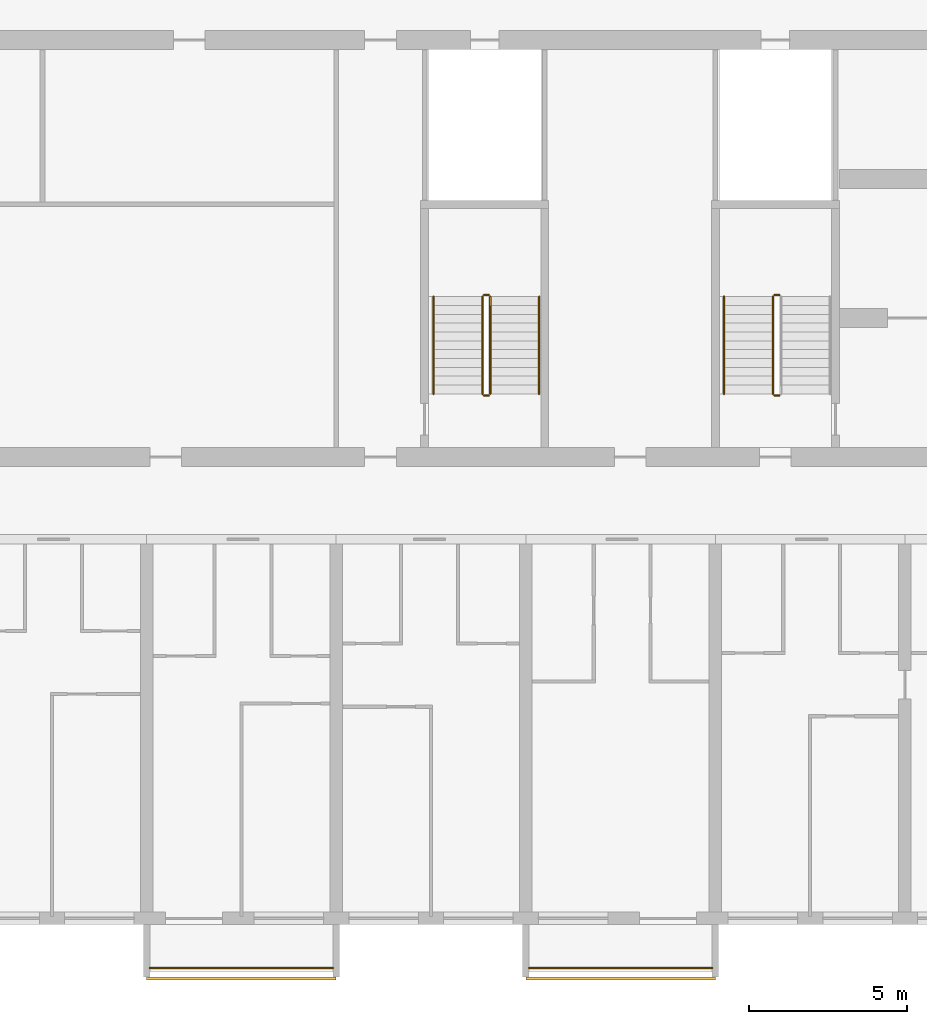
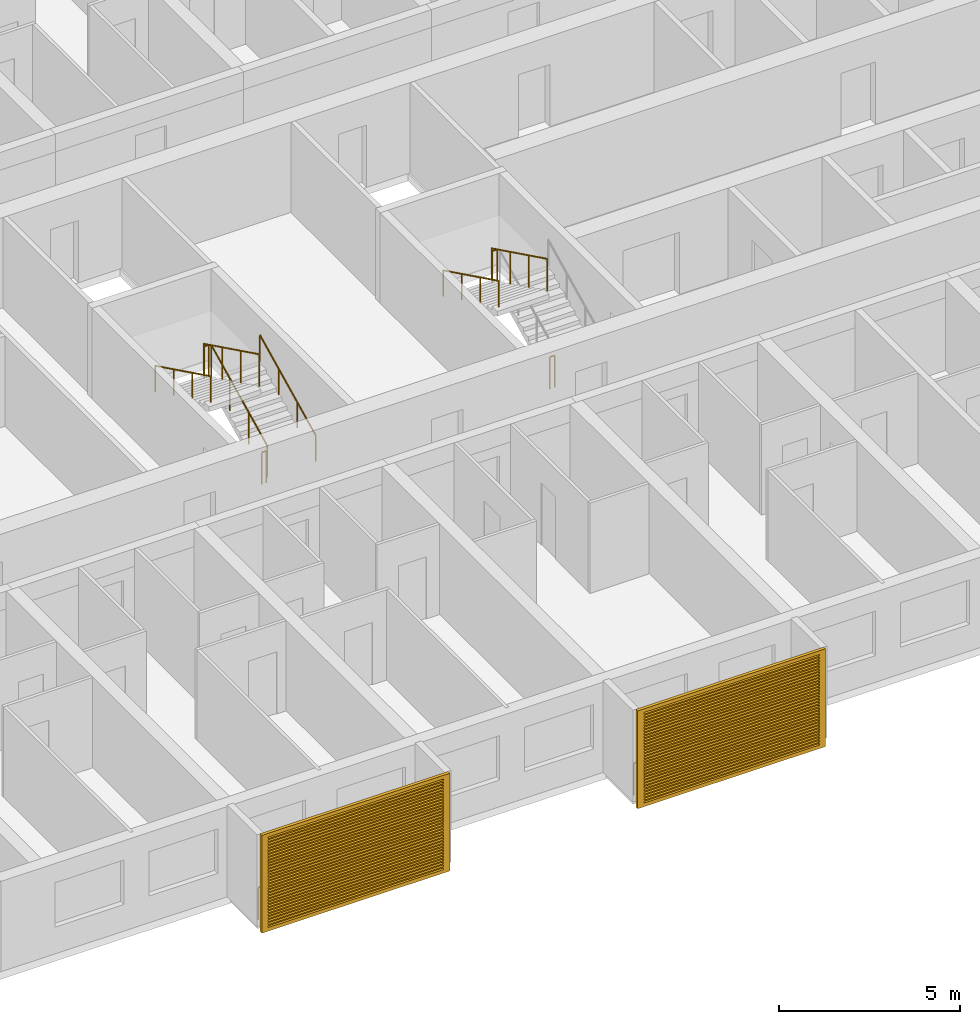
# One storey, part 19 of 40: 12 railings, 2 shading devices.
"""IFC4 building model written with IfcOpenShell, lengths in metres."""

from ifc_helpers import new_model, si_unit, direction, frame, origin, origin_2d, place, context, subcontext, project, spatial, polyline, circle, outline, extrude, source, transform, mapped, material, material_profile, profile_set, type_object, element, save


model = new_model("IFC4")

# Units and contexts
model_context = context("Model", 3, precision=1e-05, world=origin(), true_north=direction((0.0, 1.0)))
body_context = subcontext(model_context, "Body", "Model", "MODEL_VIEW")
ifc_project = project(units=[si_unit("LENGTHUNIT", "METRE"), si_unit("AREAUNIT", "SQUARE_METRE"), si_unit("VOLUMEUNIT", "CUBIC_METRE"), si_unit("PLANEANGLEUNIT", "RADIAN"), si_unit("MASSUNIT", "GRAM", prefix="KILO")], contexts=[model_context])

# Site, building, storey
site_placement = place(None, origin())
site = spatial("IfcSite", under=ifc_project, at=site_placement, CompositionType="ELEMENT")
building_placement = place(site_placement, origin())
building = spatial("IfcBuilding", under=site, at=building_placement, Name="Poui Terraces", CompositionType="ELEMENT")
storey_placement = place(building_placement, frame((0.0, 0.0, 39.89990234375)))
storey = spatial("IfcBuildingStorey", under=building, at=storey_placement, Name="L10", CompositionType="ELEMENT", Elevation=39.89990234375)

# Railings
ifc_material_1 = material(Name="Painted steel fretwork", Category="steel")
railing_type_1 = type_object("IfcRailingType", Name="BALCONY GUARD 1100", PredefinedType="GUARDRAIL", material=ifc_material_1)
for number, where, name in (
    (1, (12.10009765625, -1.570068359375, 0.0), "BALCONY GUARD"),
    (2, (24.10009765625, -1.570068359375, 0.0), "BALCONY GUARD"),
):
    element("IfcRailing", number, at=place(storey_placement, frame(where)), inside=storey, type_object=railing_type_1, Name=name, PredefinedType="GUARDRAIL", context=body_context, shape_type="SweptSolid", body=[
        extrude(circle(Radius=0.02392578125, at=origin_2d()), frame((0.0, 0.0, 1.076171875), z_axis=(1.0, 0.0, 0.0), x_axis=(0.0, 1.0, 0.0)), (0.0, 0.0, 1.0), 5.7998046875),
        extrude(circle(Radius=0.02099609375, at=origin_2d()), origin(), (0.0, 0.0, 1.0), 1.052001953125),
        extrude(circle(Radius=0.02099609375, at=origin_2d()), frame((0.966552734375, 0.0, 0.0)), (0.0, 0.0, 1.0), 1.052001953125),
        extrude(circle(Radius=0.02099609375, at=origin_2d()), frame((1.933349609375, 0.0, 0.0)), (0.0, 0.0, 1.0), 1.052001953125),
        extrude(circle(Radius=0.02099609375, at=origin_2d()), frame((2.89990234375, 0.0, 0.0)), (0.0, 0.0, 1.0), 1.052001953125),
        extrude(circle(Radius=0.02099609375, at=origin_2d()), frame((3.866455078125, 0.0, 0.0)), (0.0, 0.0, 1.0), 1.052001953125),
        extrude(circle(Radius=0.02099609375, at=origin_2d()), frame((4.833251953125, 0.0, 0.0)), (0.0, 0.0, 1.0), 1.052001953125),
        extrude(circle(Radius=0.02099609375, at=origin_2d()), frame((5.7998046875, 0.0, 0.0)), (0.0, 0.0, 1.0), 1.052001953125),
    ])
ifc_material_2 = material(Name="Galvanised steel balustrade", Category="steel")
railing_type_2 = type_object("IfcRailingType", Name="STAIR GUARD 1100", PredefinedType="GUARDRAIL", material=ifc_material_2)
railing_1_placement = place(storey_placement, frame((32.02490234375, 19.72998046875, 1.650146484375)))
element("IfcRailing", 3, at=railing_1_placement, inside=storey, type_object=railing_type_2, Name="L10 ST-CW stair guard 2", PredefinedType="GUARDRAIL", context=body_context, shape_type="SweptSolid", body=[
    extrude(circle(Radius=0.02392578125, at=origin_2d()), frame((0.0, 0.0, 1.076171875), z_axis=(-1.0, 0.0, 0.0), x_axis=(0.0, -1.0, 0.0)), (0.0, 0.0, 1.0), 0.14990234375),
    extrude(circle(Radius=0.02099609375, at=origin_2d()), origin(), (0.0, 0.0, 1.0), 1.052001953125),
    extrude(circle(Radius=0.02099609375, at=origin_2d()), frame((-0.14990234375, 0.0, 0.0)), (0.0, 0.0, 1.0), 1.052001953125),
])
railing_2_placement = place(storey_placement, frame((31.824951171875, 19.679931640625, 1.78759765625)))
element("IfcRailing", 4, at=railing_2_placement, inside=storey, type_object=railing_type_2, Name="L10 ST-CW stair guard 3", PredefinedType="GUARDRAIL", context=body_context, shape_type="SweptSolid", body=[
    extrude(circle(Radius=0.02392578125, at=origin_2d()), frame((0.0, 0.0, 1.076171875), z_axis=(0.0, -0.897606190399, 0.440798283751), x_axis=(1.0, 0.0, 0.0)), (0.0, 0.0, 1.0), 3.43115234375),
    extrude(circle(Radius=0.02099609375, at=origin_2d()), origin(), (0.0, 0.0, 1.0), 1.052001953125),
    extrude(circle(Radius=0.02099609375, at=origin_2d()), frame((0.0, -1.026611328125, 0.504150390625)), (0.0, 0.0, 1.0), 1.052001953125),
    extrude(circle(Radius=0.02099609375, at=origin_2d()), frame((0.0, -2.05322265625, 1.00830078125)), (0.0, 0.0, 1.0), 1.052001953125),
    extrude(circle(Radius=0.02099609375, at=origin_2d()), frame((0.0, -3.079833984375, 1.512451171875)), (0.0, 0.0, 1.0), 1.052001953125),
])
railing_3_placement = place(storey_placement, frame((32.02490234375, 16.550048828125, 0.0)))
element("IfcRailing", 5, at=railing_3_placement, inside=storey, type_object=railing_type_2, Name="L10 ST-CW stair guard 4", PredefinedType="GUARDRAIL", context=body_context, shape_type="SweptSolid", body=[
    extrude(circle(Radius=0.02392578125, at=origin_2d()), frame((0.0, 0.0, 1.076171875), z_axis=(-1.0, 0.0, 0.0), x_axis=(0.0, -1.0, 0.0)), (0.0, 0.0, 1.0), 0.14990234375),
    extrude(circle(Radius=0.02099609375, at=origin_2d()), origin(), (0.0, 0.0, 1.0), 1.052001953125),
    extrude(circle(Radius=0.02099609375, at=origin_2d()), frame((-0.14990234375, 0.0, 0.0)), (0.0, 0.0, 1.0), 1.052001953125),
])
railing_4_placement = place(storey_placement, frame((22.875, 16.60009765625, 0.1376953125)))
element("IfcRailing", 6, at=railing_4_placement, inside=storey, type_object=railing_type_2, Name="L10 ST-W stair guard 1", PredefinedType="GUARDRAIL", context=body_context, shape_type="SweptSolid", body=[
    extrude(circle(Radius=0.02392578125, at=origin_2d()), frame((0.0, 0.0, 1.076171875), z_axis=(0.0, 0.897606190399, 0.440798283751), x_axis=(-1.0, 0.0, 0.0)), (0.0, 0.0, 1.0), 3.43115234375),
    extrude(circle(Radius=0.02099609375, at=origin_2d()), origin(), (0.0, 0.0, 1.0), 1.052001953125),
    extrude(circle(Radius=0.02099609375, at=origin_2d()), frame((0.0, 1.026611328125, 0.504150390625)), (0.0, 0.0, 1.0), 1.052001953125),
    extrude(circle(Radius=0.02099609375, at=origin_2d()), frame((0.0, 2.05322265625, 1.00830078125)), (0.0, 0.0, 1.0), 1.052001953125),
    extrude(circle(Radius=0.02099609375, at=origin_2d()), frame((0.0, 3.079833984375, 1.512451171875)), (0.0, 0.0, 1.0), 1.052001953125),
])
railing_5_placement = place(storey_placement, frame((22.824951171875, 19.72998046875, 1.650146484375)))
element("IfcRailing", 7, at=railing_5_placement, inside=storey, type_object=railing_type_2, Name="L10 ST-W stair guard 2", PredefinedType="GUARDRAIL", context=body_context, shape_type="SweptSolid", body=[
    extrude(circle(Radius=0.02392578125, at=origin_2d()), frame((0.0, 0.0, 1.076171875), z_axis=(-1.0, 0.0, 0.0), x_axis=(0.0, -1.0, 0.0)), (0.0, 0.0, 1.0), 0.14990234375),
    extrude(circle(Radius=0.02099609375, at=origin_2d()), origin(), (0.0, 0.0, 1.0), 1.052001953125),
    extrude(circle(Radius=0.02099609375, at=origin_2d()), frame((-0.14990234375, 0.0, 0.0)), (0.0, 0.0, 1.0), 1.052001953125),
])
railing_6_placement = place(storey_placement, frame((22.625, 19.679931640625, 1.78759765625)))
element("IfcRailing", 8, at=railing_6_placement, inside=storey, type_object=railing_type_2, Name="L10 ST-W stair guard 3", PredefinedType="GUARDRAIL", context=body_context, shape_type="SweptSolid", body=[
    extrude(circle(Radius=0.02392578125, at=origin_2d()), frame((0.0, 0.0, 1.076171875), z_axis=(0.0, -0.897606190399, 0.440798283751), x_axis=(1.0, 0.0, 0.0)), (0.0, 0.0, 1.0), 3.43115234375),
    extrude(circle(Radius=0.02099609375, at=origin_2d()), origin(), (0.0, 0.0, 1.0), 1.052001953125),
    extrude(circle(Radius=0.02099609375, at=origin_2d()), frame((0.0, -1.026611328125, 0.504150390625)), (0.0, 0.0, 1.0), 1.052001953125),
    extrude(circle(Radius=0.02099609375, at=origin_2d()), frame((0.0, -2.05322265625, 1.00830078125)), (0.0, 0.0, 1.0), 1.052001953125),
    extrude(circle(Radius=0.02099609375, at=origin_2d()), frame((0.0, -3.079833984375, 1.512451171875)), (0.0, 0.0, 1.0), 1.052001953125),
])
railing_7_placement = place(storey_placement, frame((22.824951171875, 16.550048828125, 0.0)))
element("IfcRailing", 9, at=railing_7_placement, inside=storey, type_object=railing_type_2, Name="L10 ST-W stair guard 4", PredefinedType="GUARDRAIL", context=body_context, shape_type="SweptSolid", body=[
    extrude(circle(Radius=0.02392578125, at=origin_2d()), frame((0.0, 0.0, 1.076171875), z_axis=(-1.0, 0.0, 0.0), x_axis=(0.0, -1.0, 0.0)), (0.0, 0.0, 1.0), 0.14990234375),
    extrude(circle(Radius=0.02099609375, at=origin_2d()), origin(), (0.0, 0.0, 1.0), 1.052001953125),
    extrude(circle(Radius=0.02099609375, at=origin_2d()), frame((-0.14990234375, 0.0, 0.0)), (0.0, 0.0, 1.0), 1.052001953125),
])
ifc_material_3 = material(Name="Stainless steel handrail", Category="steel")
railing_type_3 = type_object("IfcRailingType", Name="STAIR HANDRAIL 900", PredefinedType="HANDRAIL", material=ifc_material_3)
railing_8_placement = place(storey_placement, frame((30.27490234375, 19.679931640625, 1.78759765625)))
element("IfcRailing", 10, at=railing_8_placement, inside=storey, type_object=railing_type_3, Name="L10 ST-CW stair handrail 2", PredefinedType="HANDRAIL", context=body_context, shape_type="SweptSolid", body=[
    extrude(circle(Radius=0.02392578125, at=origin_2d()), frame((0.0, 0.0, 0.8759765625), z_axis=(0.0, -0.897606190399, 0.440798283751), x_axis=(1.0, 0.0, 0.0)), (0.0, 0.0, 1.0), 3.43115234375),
    extrude(circle(Radius=0.02099609375, at=origin_2d()), origin(), (0.0, 0.0, 1.0), 0.851806640625),
    extrude(circle(Radius=0.02099609375, at=origin_2d()), frame((0.0, -1.026611328125, 0.504150390625)), (0.0, 0.0, 1.0), 0.851806640625),
    extrude(circle(Radius=0.02099609375, at=origin_2d()), frame((0.0, -2.05322265625, 1.00830078125)), (0.0, 0.0, 1.0), 0.851806640625),
    extrude(circle(Radius=0.02099609375, at=origin_2d()), frame((0.0, -3.079833984375, 1.512451171875)), (0.0, 0.0, 1.0), 0.851806640625),
])
railing_9_placement = place(storey_placement, frame((24.425048828125, 16.60009765625, 0.1376953125)))
element("IfcRailing", 11, at=railing_9_placement, inside=storey, type_object=railing_type_3, Name="L10 ST-W stair handrail 1", PredefinedType="HANDRAIL", context=body_context, shape_type="SweptSolid", body=[
    extrude(circle(Radius=0.02392578125, at=origin_2d()), frame((0.0, 0.0, 0.8759765625), z_axis=(0.0, 0.897606190399, 0.440798283751), x_axis=(-1.0, 0.0, 0.0)), (0.0, 0.0, 1.0), 3.43115234375),
    extrude(circle(Radius=0.02099609375, at=origin_2d()), origin(), (0.0, 0.0, 1.0), 0.851806640625),
    extrude(circle(Radius=0.02099609375, at=origin_2d()), frame((0.0, 1.026611328125, 0.504150390625)), (0.0, 0.0, 1.0), 0.851806640625),
    extrude(circle(Radius=0.02099609375, at=origin_2d()), frame((0.0, 2.05322265625, 1.00830078125)), (0.0, 0.0, 1.0), 0.851806640625),
    extrude(circle(Radius=0.02099609375, at=origin_2d()), frame((0.0, 3.079833984375, 1.512451171875)), (0.0, 0.0, 1.0), 0.851806640625),
])
railing_10_placement = place(storey_placement, frame((21.074951171875, 19.679931640625, 1.78759765625)))
element("IfcRailing", 12, at=railing_10_placement, inside=storey, type_object=railing_type_3, Name="L10 ST-W stair handrail 2", PredefinedType="HANDRAIL", context=body_context, shape_type="SweptSolid", body=[
    extrude(circle(Radius=0.02392578125, at=origin_2d()), frame((0.0, 0.0, 0.8759765625), z_axis=(0.0, -0.897606190399, 0.440798283751), x_axis=(1.0, 0.0, 0.0)), (0.0, 0.0, 1.0), 3.43115234375),
    extrude(circle(Radius=0.02099609375, at=origin_2d()), origin(), (0.0, 0.0, 1.0), 0.851806640625),
    extrude(circle(Radius=0.02099609375, at=origin_2d()), frame((0.0, -1.026611328125, 0.504150390625)), (0.0, 0.0, 1.0), 0.851806640625),
    extrude(circle(Radius=0.02099609375, at=origin_2d()), frame((0.0, -2.05322265625, 1.00830078125)), (0.0, 0.0, 1.0), 0.851806640625),
    extrude(circle(Radius=0.02099609375, at=origin_2d()), frame((0.0, -3.079833984375, 1.512451171875)), (0.0, 0.0, 1.0), 0.851806640625),
])

# Shading devices
ifc_material_4 = material(Name="Aluminium louvre", Category="aluminium")
ifc_material_profile = material_profile(ifc_material_4, outline(polyline([(-3.0, -1.64990234375), (3.0, -1.64990234375), (3.0, 1.64990234375), (-3.0, 1.64990234375), (-3.0, -1.64990234375)]), holes=[polyline([(-2.800048828125, -1.530029296875), (2.800048828125, -1.530029296875), (2.800048828125, -1.469970703125), (-2.800048828125, -1.469970703125), (-2.800048828125, -1.530029296875)]), polyline([(-2.800048828125, -1.429931640625), (2.800048828125, -1.429931640625), (2.800048828125, -1.3701171875), (-2.800048828125, -1.3701171875), (-2.800048828125, -1.429931640625)]), polyline([(-2.800048828125, -1.330078125), (2.800048828125, -1.330078125), (2.800048828125, -1.27001953125), (-2.800048828125, -1.27001953125), (-2.800048828125, -1.330078125)]), polyline([(-2.800048828125, -1.22998046875), (2.800048828125, -1.22998046875), (2.800048828125, -1.169921875), (-2.800048828125, -1.169921875), (-2.800048828125, -1.22998046875)]), polyline([(-2.800048828125, -1.1298828125), (2.800048828125, -1.1298828125), (2.800048828125, -1.070068359375), (-2.800048828125, -1.070068359375), (-2.800048828125, -1.1298828125)]), polyline([(-2.800048828125, -1.030029296875), (2.800048828125, -1.030029296875), (2.800048828125, -0.969970703125), (-2.800048828125, -0.969970703125), (-2.800048828125, -1.030029296875)]), polyline([(-2.800048828125, -0.929931640625), (2.800048828125, -0.929931640625), (2.800048828125, -0.8701171875), (-2.800048828125, -0.8701171875), (-2.800048828125, -0.929931640625)]), polyline([(-2.800048828125, -0.830078125), (2.800048828125, -0.830078125), (2.800048828125, -0.77001953125), (-2.800048828125, -0.77001953125), (-2.800048828125, -0.830078125)]), polyline([(-2.800048828125, -0.72998046875), (2.800048828125, -0.72998046875), (2.800048828125, -0.669921875), (-2.800048828125, -0.669921875), (-2.800048828125, -0.72998046875)]), polyline([(-2.800048828125, -0.6298828125), (2.800048828125, -0.6298828125), (2.800048828125, -0.570068359375), (-2.800048828125, -0.570068359375), (-2.800048828125, -0.6298828125)]), polyline([(-2.800048828125, -0.530029296875), (2.800048828125, -0.530029296875), (2.800048828125, -0.469970703125), (-2.800048828125, -0.469970703125), (-2.800048828125, -0.530029296875)]), polyline([(-2.800048828125, -0.429931640625), (2.800048828125, -0.429931640625), (2.800048828125, -0.3701171875), (-2.800048828125, -0.3701171875), (-2.800048828125, -0.429931640625)]), polyline([(-2.800048828125, -0.330078125), (2.800048828125, -0.330078125), (2.800048828125, -0.27001953125), (-2.800048828125, -0.27001953125), (-2.800048828125, -0.330078125)]), polyline([(-2.800048828125, -0.22998046875), (2.800048828125, -0.22998046875), (2.800048828125, -0.169921875), (-2.800048828125, -0.169921875), (-2.800048828125, -0.22998046875)]), polyline([(-2.800048828125, -0.1298828125), (2.800048828125, -0.1298828125), (2.800048828125, -0.070068359375), (-2.800048828125, -0.070068359375), (-2.800048828125, -0.1298828125)]), polyline([(-2.800048828125, -0.030029296875), (2.800048828125, -0.030029296875), (2.800048828125, 0.030029296875), (-2.800048828125, 0.030029296875), (-2.800048828125, -0.030029296875)]), polyline([(-2.800048828125, 0.070068359375), (2.800048828125, 0.070068359375), (2.800048828125, 0.1298828125), (-2.800048828125, 0.1298828125), (-2.800048828125, 0.070068359375)]), polyline([(-2.800048828125, 0.169921875), (2.800048828125, 0.169921875), (2.800048828125, 0.22998046875), (-2.800048828125, 0.22998046875), (-2.800048828125, 0.169921875)]), polyline([(-2.800048828125, 0.27001953125), (2.800048828125, 0.27001953125), (2.800048828125, 0.330078125), (-2.800048828125, 0.330078125), (-2.800048828125, 0.27001953125)]), polyline([(-2.800048828125, 0.3701171875), (2.800048828125, 0.3701171875), (2.800048828125, 0.429931640625), (-2.800048828125, 0.429931640625), (-2.800048828125, 0.3701171875)]), polyline([(-2.800048828125, 0.469970703125), (2.800048828125, 0.469970703125), (2.800048828125, 0.530029296875), (-2.800048828125, 0.530029296875), (-2.800048828125, 0.469970703125)]), polyline([(-2.800048828125, 0.570068359375), (2.800048828125, 0.570068359375), (2.800048828125, 0.6298828125), (-2.800048828125, 0.6298828125), (-2.800048828125, 0.570068359375)]), polyline([(-2.800048828125, 0.669921875), (2.800048828125, 0.669921875), (2.800048828125, 0.72998046875), (-2.800048828125, 0.72998046875), (-2.800048828125, 0.669921875)]), polyline([(-2.800048828125, 0.77001953125), (2.800048828125, 0.77001953125), (2.800048828125, 0.830078125), (-2.800048828125, 0.830078125), (-2.800048828125, 0.77001953125)]), polyline([(-2.800048828125, 0.8701171875), (2.800048828125, 0.8701171875), (2.800048828125, 0.929931640625), (-2.800048828125, 0.929931640625), (-2.800048828125, 0.8701171875)]), polyline([(-2.800048828125, 0.969970703125), (2.800048828125, 0.969970703125), (2.800048828125, 1.030029296875), (-2.800048828125, 1.030029296875), (-2.800048828125, 0.969970703125)]), polyline([(-2.800048828125, 1.070068359375), (2.800048828125, 1.070068359375), (2.800048828125, 1.1298828125), (-2.800048828125, 1.1298828125), (-2.800048828125, 1.070068359375)]), polyline([(-2.800048828125, 1.169921875), (2.800048828125, 1.169921875), (2.800048828125, 1.22998046875), (-2.800048828125, 1.22998046875), (-2.800048828125, 1.169921875)]), polyline([(-2.800048828125, 1.27001953125), (2.800048828125, 1.27001953125), (2.800048828125, 1.330078125), (-2.800048828125, 1.330078125), (-2.800048828125, 1.27001953125)]), polyline([(-2.800048828125, 1.3701171875), (2.800048828125, 1.3701171875), (2.800048828125, 1.429931640625), (-2.800048828125, 1.429931640625), (-2.800048828125, 1.3701171875)]), polyline([(-2.800048828125, 1.469970703125), (2.800048828125, 1.469970703125), (2.800048828125, 1.530029296875), (-2.800048828125, 1.530029296875), (-2.800048828125, 1.469970703125)])]), Name="JALOUSIE LOUVRE SHUTTER 6000X3300")
ifc_profile_set = profile_set([ifc_material_profile], Name="Aluminium louvre")
shading_device_type = type_object("IfcShadingDeviceType", Name="JALOUSIE LOUVRE SHUTTER 6000X3300", PredefinedType="JALOUSIE", material=ifc_profile_set)
shared_shape = source(origin(), body_context, "Body", "SweptSolid", [
    extrude(outline(polyline([(-3.0, -1.64990234375), (3.0, -1.64990234375), (3.0, 1.64990234375), (-3.0, 1.64990234375), (-3.0, -1.64990234375)]), holes=[polyline([(-2.800048828125, -1.530029296875), (2.800048828125, -1.530029296875), (2.800048828125, -1.469970703125), (-2.800048828125, -1.469970703125), (-2.800048828125, -1.530029296875)]), polyline([(-2.800048828125, -1.429931640625), (2.800048828125, -1.429931640625), (2.800048828125, -1.3701171875), (-2.800048828125, -1.3701171875), (-2.800048828125, -1.429931640625)]), polyline([(-2.800048828125, -1.330078125), (2.800048828125, -1.330078125), (2.800048828125, -1.27001953125), (-2.800048828125, -1.27001953125), (-2.800048828125, -1.330078125)]), polyline([(-2.800048828125, -1.22998046875), (2.800048828125, -1.22998046875), (2.800048828125, -1.169921875), (-2.800048828125, -1.169921875), (-2.800048828125, -1.22998046875)]), polyline([(-2.800048828125, -1.1298828125), (2.800048828125, -1.1298828125), (2.800048828125, -1.070068359375), (-2.800048828125, -1.070068359375), (-2.800048828125, -1.1298828125)]), polyline([(-2.800048828125, -1.030029296875), (2.800048828125, -1.030029296875), (2.800048828125, -0.969970703125), (-2.800048828125, -0.969970703125), (-2.800048828125, -1.030029296875)]), polyline([(-2.800048828125, -0.929931640625), (2.800048828125, -0.929931640625), (2.800048828125, -0.8701171875), (-2.800048828125, -0.8701171875), (-2.800048828125, -0.929931640625)]), polyline([(-2.800048828125, -0.830078125), (2.800048828125, -0.830078125), (2.800048828125, -0.77001953125), (-2.800048828125, -0.77001953125), (-2.800048828125, -0.830078125)]), polyline([(-2.800048828125, -0.72998046875), (2.800048828125, -0.72998046875), (2.800048828125, -0.669921875), (-2.800048828125, -0.669921875), (-2.800048828125, -0.72998046875)]), polyline([(-2.800048828125, -0.6298828125), (2.800048828125, -0.6298828125), (2.800048828125, -0.570068359375), (-2.800048828125, -0.570068359375), (-2.800048828125, -0.6298828125)]), polyline([(-2.800048828125, -0.530029296875), (2.800048828125, -0.530029296875), (2.800048828125, -0.469970703125), (-2.800048828125, -0.469970703125), (-2.800048828125, -0.530029296875)]), polyline([(-2.800048828125, -0.429931640625), (2.800048828125, -0.429931640625), (2.800048828125, -0.3701171875), (-2.800048828125, -0.3701171875), (-2.800048828125, -0.429931640625)]), polyline([(-2.800048828125, -0.330078125), (2.800048828125, -0.330078125), (2.800048828125, -0.27001953125), (-2.800048828125, -0.27001953125), (-2.800048828125, -0.330078125)]), polyline([(-2.800048828125, -0.22998046875), (2.800048828125, -0.22998046875), (2.800048828125, -0.169921875), (-2.800048828125, -0.169921875), (-2.800048828125, -0.22998046875)]), polyline([(-2.800048828125, -0.1298828125), (2.800048828125, -0.1298828125), (2.800048828125, -0.070068359375), (-2.800048828125, -0.070068359375), (-2.800048828125, -0.1298828125)]), polyline([(-2.800048828125, -0.030029296875), (2.800048828125, -0.030029296875), (2.800048828125, 0.030029296875), (-2.800048828125, 0.030029296875), (-2.800048828125, -0.030029296875)]), polyline([(-2.800048828125, 0.070068359375), (2.800048828125, 0.070068359375), (2.800048828125, 0.1298828125), (-2.800048828125, 0.1298828125), (-2.800048828125, 0.070068359375)]), polyline([(-2.800048828125, 0.169921875), (2.800048828125, 0.169921875), (2.800048828125, 0.22998046875), (-2.800048828125, 0.22998046875), (-2.800048828125, 0.169921875)]), polyline([(-2.800048828125, 0.27001953125), (2.800048828125, 0.27001953125), (2.800048828125, 0.330078125), (-2.800048828125, 0.330078125), (-2.800048828125, 0.27001953125)]), polyline([(-2.800048828125, 0.3701171875), (2.800048828125, 0.3701171875), (2.800048828125, 0.429931640625), (-2.800048828125, 0.429931640625), (-2.800048828125, 0.3701171875)]), polyline([(-2.800048828125, 0.469970703125), (2.800048828125, 0.469970703125), (2.800048828125, 0.530029296875), (-2.800048828125, 0.530029296875), (-2.800048828125, 0.469970703125)]), polyline([(-2.800048828125, 0.570068359375), (2.800048828125, 0.570068359375), (2.800048828125, 0.6298828125), (-2.800048828125, 0.6298828125), (-2.800048828125, 0.570068359375)]), polyline([(-2.800048828125, 0.669921875), (2.800048828125, 0.669921875), (2.800048828125, 0.72998046875), (-2.800048828125, 0.72998046875), (-2.800048828125, 0.669921875)]), polyline([(-2.800048828125, 0.77001953125), (2.800048828125, 0.77001953125), (2.800048828125, 0.830078125), (-2.800048828125, 0.830078125), (-2.800048828125, 0.77001953125)]), polyline([(-2.800048828125, 0.8701171875), (2.800048828125, 0.8701171875), (2.800048828125, 0.929931640625), (-2.800048828125, 0.929931640625), (-2.800048828125, 0.8701171875)]), polyline([(-2.800048828125, 0.969970703125), (2.800048828125, 0.969970703125), (2.800048828125, 1.030029296875), (-2.800048828125, 1.030029296875), (-2.800048828125, 0.969970703125)]), polyline([(-2.800048828125, 1.070068359375), (2.800048828125, 1.070068359375), (2.800048828125, 1.1298828125), (-2.800048828125, 1.1298828125), (-2.800048828125, 1.070068359375)]), polyline([(-2.800048828125, 1.169921875), (2.800048828125, 1.169921875), (2.800048828125, 1.22998046875), (-2.800048828125, 1.22998046875), (-2.800048828125, 1.169921875)]), polyline([(-2.800048828125, 1.27001953125), (2.800048828125, 1.27001953125), (2.800048828125, 1.330078125), (-2.800048828125, 1.330078125), (-2.800048828125, 1.27001953125)]), polyline([(-2.800048828125, 1.3701171875), (2.800048828125, 1.3701171875), (2.800048828125, 1.429931640625), (-2.800048828125, 1.429931640625), (-2.800048828125, 1.3701171875)]), polyline([(-2.800048828125, 1.469970703125), (2.800048828125, 1.469970703125), (2.800048828125, 1.530029296875), (-2.800048828125, 1.530029296875), (-2.800048828125, 1.469970703125)])]), origin(), (0.0, 0.0, 1.0), 0.099853515625),
])
for number, where, z_axis, x_axis, name in (
    (13, (15.0, -1.85009765625, 1.4501953125), (0.0, -1.0, 0.0), (1.0, 0.0, 0.0), "JALOUSIE LOUVRE SHUTTER"),
    (14, (27.0, -1.85009765625, 1.4501953125), (0.0, -1.0, 0.0), (1.0, 0.0, 0.0), "JALOUSIE LOUVRE SHUTTER"),
):
    element("IfcShadingDevice", number, at=place(storey_placement, frame(where, z_axis=z_axis, x_axis=x_axis)), inside=storey, type_object=shading_device_type, Name=name, PredefinedType="JALOUSIE", context=body_context, shape_type="MappedRepresentation", body=[
        mapped(shared_shape, transform((0.0, 0.0, 0.0))),
    ])

save(model, "model.ifc")
